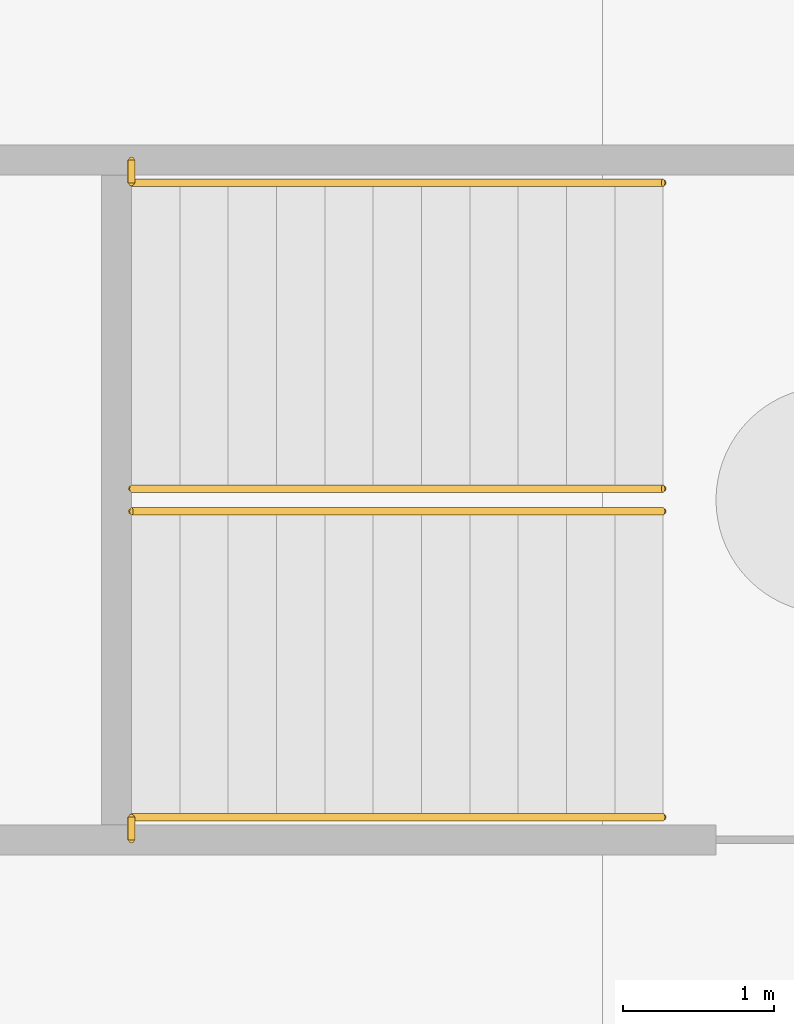
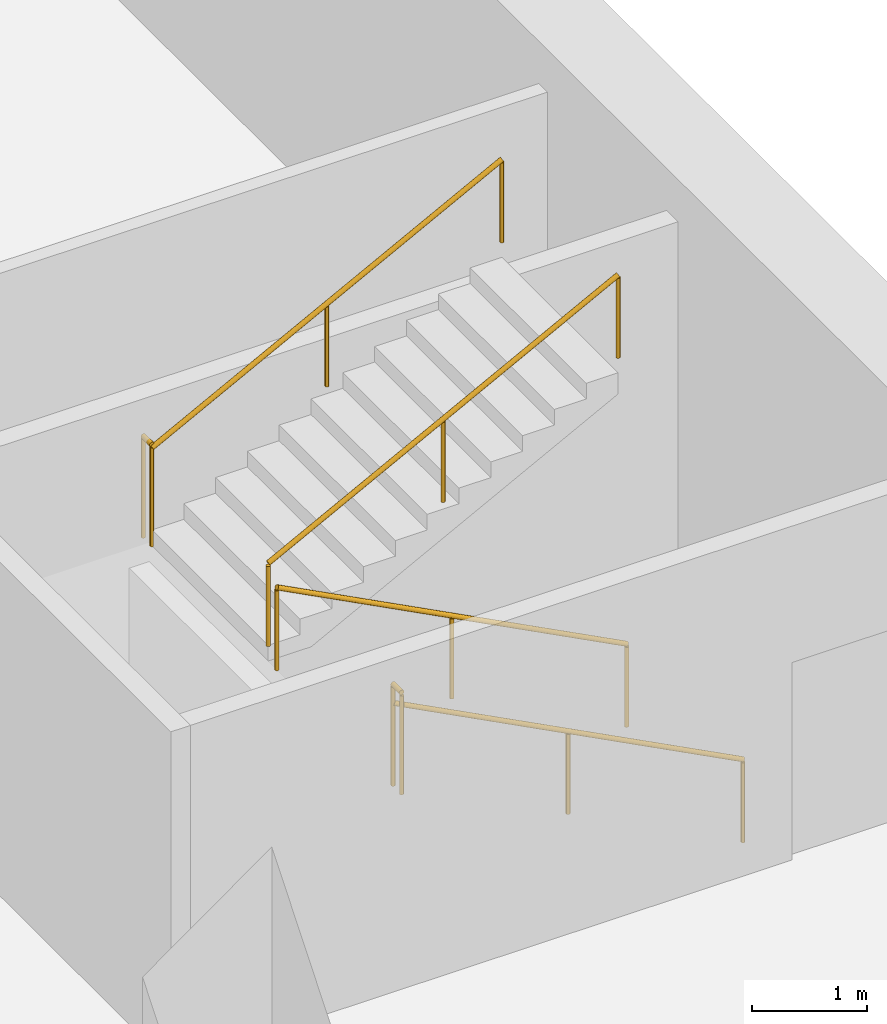
# One storey, part 39 of 40: 6 railings.
"""IFC4 building model written with IfcOpenShell, lengths in metres."""

from ifc_helpers import new_model, si_unit, direction, frame, origin, origin_2d, place, context, subcontext, project, spatial, circle, extrude, source, transform, mapped, material, type_object, element, save


model = new_model("IFC4")

# Units and contexts
model_context = context("Model", 3, precision=1e-05, world=origin(), true_north=direction((0.0, 1.0)))
body_context = subcontext(model_context, "Body", "Model", "MODEL_VIEW")
ifc_project = project(units=[si_unit("LENGTHUNIT", "METRE"), si_unit("AREAUNIT", "SQUARE_METRE"), si_unit("VOLUMEUNIT", "CUBIC_METRE"), si_unit("PLANEANGLEUNIT", "RADIAN"), si_unit("MASSUNIT", "GRAM", prefix="KILO")], contexts=[model_context])

# Site, building, storey
site_placement = place(None, origin())
site = spatial("IfcSite", under=ifc_project, at=site_placement, CompositionType="ELEMENT")
building_placement = place(site_placement, origin())
building = spatial("IfcBuilding", under=site, at=building_placement, Name="Altepetl Exchange Towers", CompositionType="ELEMENT")
storey_placement = place(building_placement, frame((0.0, 0.0, -8.0)))
storey = spatial("IfcBuildingStorey", under=building, at=storey_placement, Name="B2 Basement parking", CompositionType="ELEMENT", Elevation=-8.0)

# Railings
ifc_material_1 = material(Name="Laminated glass and steel", Category="steel")
railing_type_1 = type_object("IfcRailingType", Name="Hall gallery guard 1100", PredefinedType="GUARDRAIL", material=ifc_material_1)
shared_shape_1 = source(origin(), body_context, "Body", "SweptSolid", [
    extrude(circle(Radius=0.02001953125, at=origin_2d()), origin(), (0.0, 0.0, 1.0), 1.050048828125),
])
for number, where, name in (
    (1, (146.8798828125, 65.25, 2.0), "rail:P:B2:ES8land0"),
    (2, (146.8798828125, 69.60009765625, 2.0), "rail:P:B2:ES8land1"),
):
    element("IfcRailing", number, at=place(storey_placement, frame(where)), inside=storey, type_object=railing_type_1, Name=name, PredefinedType="GUARDRAIL", context=body_context, shape_type="SweptSolid", body=[
        extrude(circle(Radius=0.02490234375, at=origin_2d()), frame((0.0, 0.0, 1.0751953125), z_axis=(0.0, 1.0, 0.0), x_axis=(-1.0, 0.0, 0.0)), (0.0, 0.0, 1.0), 0.14990234375),
        mapped(shared_shape_1, transform((0.0, 0.0, 0.0))),
        mapped(shared_shape_1, transform((0.0, 0.14990234375, 0.0))),
    ])
ifc_material_2 = material(Name="Stainless steel", Category="steel")
railing_type_2 = type_object("IfcRailingType", Name="Stair handrail 900", PredefinedType="HANDRAIL", material=ifc_material_2)
shared_shape_2 = source(origin(), body_context, "Body", "SweptSolid", [
    extrude(circle(Radius=0.02001953125, at=origin_2d()), origin(), (0.0, 0.0, 1.0), 0.849853515625),
])
for number, where, name in (
    (3, (150.39990234375, 65.39990234375, 0.166748046875), "rail:P:B2:ES8:1a"),
    (4, (150.39990234375, 67.425048828125, 0.166748046875), "rail:P:B2:ES8:1b"),
):
    element("IfcRailing", number, at=place(storey_placement, frame(where)), inside=storey, type_object=railing_type_2, Name=name, PredefinedType="HANDRAIL", context=body_context, shape_type="SweptSolid", body=[
        extrude(circle(Radius=0.02490234375, at=origin_2d()), frame((0.0, 0.0, 0.875), z_axis=(-0.886923534906, 0.0, 0.461916272965), x_axis=(0.0, -1.0, 0.0)), (0.0, 0.0, 1.0), 3.96875),
        mapped(shared_shape_2, transform((0.0, 0.0, 0.0))),
        mapped(shared_shape_2, transform((-1.760009765625, 0.0, 0.91650390625))),
        mapped(shared_shape_2, transform((-3.52001953125, 0.0, 1.833251953125))),
    ])
for number, where, name in (
    (5, (146.8798828125, 67.574951171875, 2.166748046875), "rail:P:B2:ES8:2a"),
    (6, (146.8798828125, 69.60009765625, 2.166748046875), "rail:P:B2:ES8:2b"),
):
    element("IfcRailing", number, at=place(storey_placement, frame(where)), inside=storey, type_object=railing_type_2, Name=name, PredefinedType="HANDRAIL", context=body_context, shape_type="SweptSolid", body=[
        extrude(circle(Radius=0.02490234375, at=origin_2d()), frame((0.0, 0.0, 0.875), z_axis=(0.886923534906, 0.0, 0.461916272965), x_axis=(0.0, 1.0, 0.0)), (0.0, 0.0, 1.0), 3.96875),
        mapped(shared_shape_2, transform((0.0, 0.0, 0.0))),
        mapped(shared_shape_2, transform((1.760009765625, 0.0, 0.91650390625))),
        mapped(shared_shape_2, transform((3.52001953125, 0.0, 1.833251953125))),
    ])

save(model, "model.ifc")
